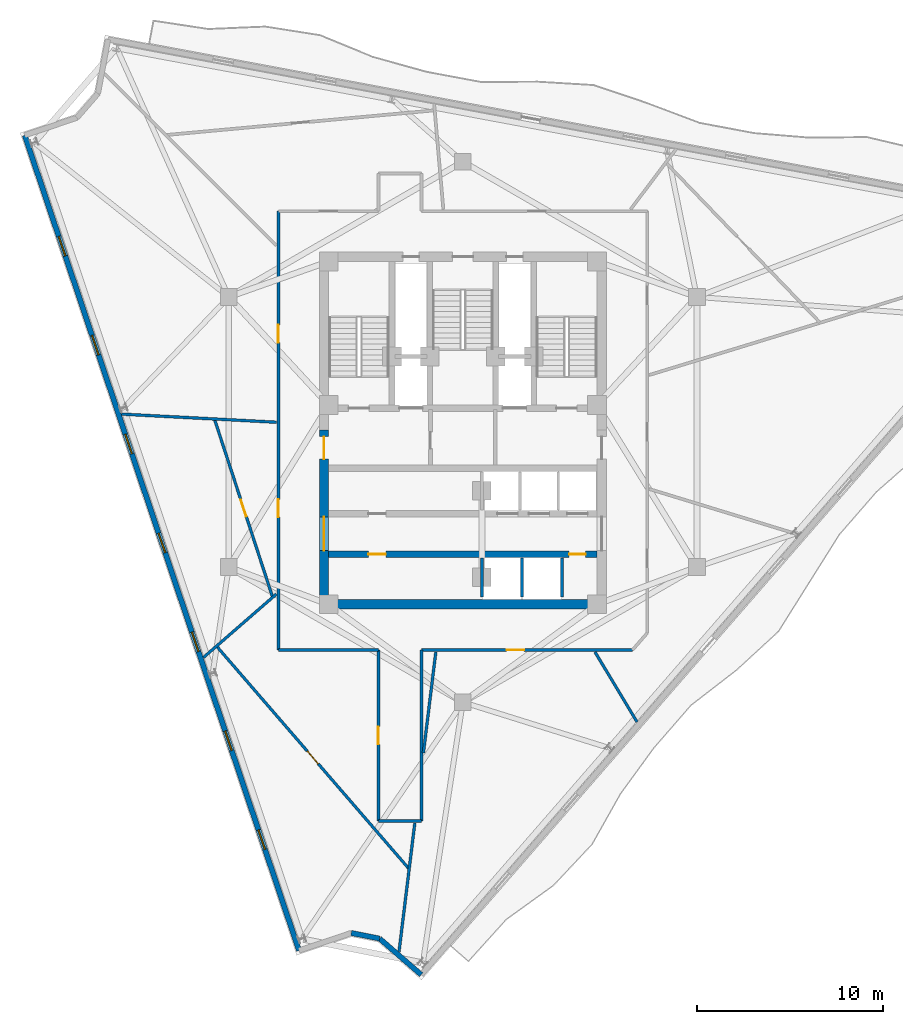
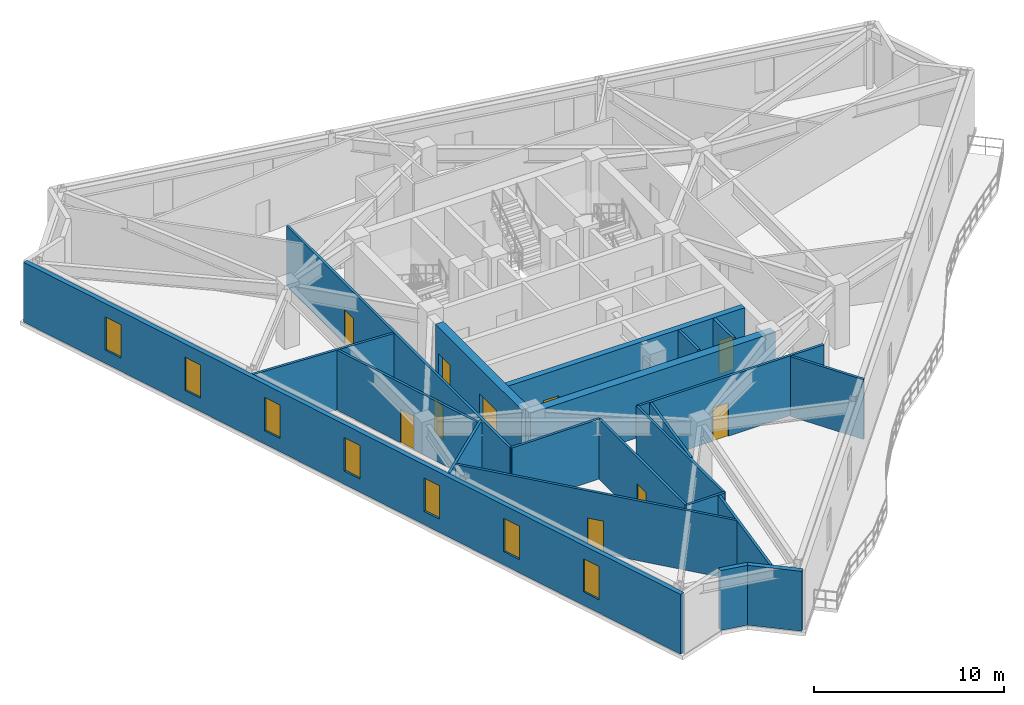
# One storey, part 4 of 10: 22 walls, 10 doors, 7 windows, 17 openings.
"""IFC4 building model written with IfcOpenShell, lengths in metres."""

from ifc_helpers import new_model, si_unit, direction, frame, frame_2d, origin, place, context, subcontext, project, spatial, rectangle, extrude, material, layer, layer_set, type_object, element, fill, save


model = new_model("IFC4")

# Units and contexts
model_context = context("Model", 3, precision=1e-05, world=origin(), true_north=direction((0.0, 1.0)))
body_context = subcontext(model_context, "Body", "Model", "MODEL_VIEW")
ifc_project = project(units=[si_unit("LENGTHUNIT", "METRE"), si_unit("AREAUNIT", "SQUARE_METRE"), si_unit("VOLUMEUNIT", "CUBIC_METRE"), si_unit("PLANEANGLEUNIT", "RADIAN"), si_unit("MASSUNIT", "GRAM", prefix="KILO")], contexts=[model_context])

# Site, building, storey
site_placement = place(None, origin())
site = spatial("IfcSite", under=ifc_project, at=site_placement, CompositionType="ELEMENT")
building_placement = place(site_placement, origin())
building = spatial("IfcBuilding", under=site, at=building_placement, Name="Apsidion Concourse Tower", CompositionType="ELEMENT")
storey_placement = place(building_placement, frame((0.0, 0.0, 286.0)))
storey = spatial("IfcBuildingStorey", under=building, at=storey_placement, Name="L67", CompositionType="ELEMENT", Elevation=286.0)

# Walls
ifc_material_1 = material(Name="Precast concrete C40/50", Category="concrete")
ifc_layer_1 = layer(ifc_material_1, 0.280029296875)
ifc_layer_set_1 = layer_set([ifc_layer_1], Name="Precast concrete C40/50")
wall_type_1 = type_object("IfcWallType", Name="WL-EXT-280", PredefinedType="STANDARD", material=ifc_layer_set_1)
wall_1_placement = place(storey_placement, frame((-2.235595703125, -29.126220703125, 0.0), z_axis=(0.0, 0.0, 1.0), x_axis=(-0.754753154029, 0.656008899698, 0.0)))
element("IfcWall", 1, at=wall_1_placement, inside=storey, type_object=wall_type_1, Name="L67 Precast Stone Facade Wall 06", PredefinedType="STANDARD", context=body_context, shape_type="SweptSolid", body=[
    extrude(rectangle(XDim=2.95458984375, YDim=0.280029296875, at=frame_2d((1.477294921875, 0.0))), origin(), (0.0, 0.0, 1.0), 3.85009765625),
])
wall_2_placement = place(storey_placement, frame((-4.465576171875, -27.18798828125, 0.0), z_axis=(0.0, 0.0, 1.0), x_axis=(-0.980935552899, 0.194333324621, 0.0)))
element("IfcWall", 2, at=wall_2_placement, inside=storey, type_object=wall_type_1, Name="L67 Precast Stone Facade Wall 07", PredefinedType="STANDARD", context=body_context, shape_type="SweptSolid", body=[
    extrude(rectangle(XDim=1.553955078125, YDim=0.280029296875, at=frame_2d((0.77685546875, 0.0))), origin(), (0.0, 0.0, 1.0), 3.85009765625),
])

# Wall, openings, windows
wall_3_placement = place(storey_placement, frame((-8.790283203125, -27.828125, 0.0), z_axis=(0.0, 0.0, 1.0), x_axis=(-0.318898365887, 0.947788917552, 0.0)))
wall_3 = element("IfcWall", 3, at=wall_3_placement, inside=storey, type_object=wall_type_1, Name="L67 Precast Stone Facade Wall 09", PredefinedType="STANDARD", context=body_context, shape_type="SweptSolid", body=[
    extrude(rectangle(XDim=46.16259765625, YDim=0.280029296875, at=frame_2d((23.081298828125, 0.0))), origin(), (0.0, 0.0, 1.0), 3.85009765625),
])
opening_1_placement = place(wall_3_placement, frame((5.731201171875, 0.0, 0.85009765625)))
opening_1 = element("IfcOpeningElement", 4, at=opening_1_placement, cuts=wall_3, Name="Opening WN-07", PredefinedType="OPENING", context=body_context, shape_type="SweptSolid", body=[
    extrude(rectangle(XDim=1.10009765625, YDim=2.14990234375, at=frame_2d((0.550048828125, 1.074951171875))), frame((0.0, 0.14990234375, 0.0), z_axis=(0.0, -1.0, 0.0), x_axis=(1.0, 0.0, 0.0)), (0.0, 0.0, 1.0), 0.300048828125),
])
opening_2_placement = place(wall_3_placement, frame((11.331298828125, 0.0, 0.85009765625)))
opening_2 = element("IfcOpeningElement", 5, at=opening_2_placement, cuts=wall_3, Name="Opening WN-07", PredefinedType="OPENING", context=body_context, shape_type="SweptSolid", body=[
    extrude(rectangle(XDim=1.10009765625, YDim=2.14990234375, at=frame_2d((0.550048828125, 1.074951171875))), frame((0.0, 0.14990234375, 0.0), z_axis=(0.0, -1.0, 0.0), x_axis=(1.0, 0.0, 0.0)), (0.0, 0.0, 1.0), 0.300048828125),
])
opening_3_placement = place(wall_3_placement, frame((16.931396484375, 0.0, 0.85009765625)))
opening_3 = element("IfcOpeningElement", 6, at=opening_3_placement, cuts=wall_3, Name="Opening WN-07", PredefinedType="OPENING", context=body_context, shape_type="SweptSolid", body=[
    extrude(rectangle(XDim=1.10009765625, YDim=2.14990234375, at=frame_2d((0.550048828125, 1.074951171875))), frame((0.0, 0.14990234375, 0.0), z_axis=(0.0, -1.0, 0.0), x_axis=(1.0, 0.0, 0.0)), (0.0, 0.0, 1.0), 0.300048828125),
])
opening_4_placement = place(wall_3_placement, frame((22.53125, 0.0, 0.85009765625)))
opening_4 = element("IfcOpeningElement", 7, at=opening_4_placement, cuts=wall_3, Name="Opening WN-07", PredefinedType="OPENING", context=body_context, shape_type="SweptSolid", body=[
    extrude(rectangle(XDim=1.10009765625, YDim=2.14990234375, at=frame_2d((0.550048828125, 1.074951171875))), frame((0.0, 0.14990234375, 0.0), z_axis=(0.0, -1.0, 0.0), x_axis=(1.0, 0.0, 0.0)), (0.0, 0.0, 1.0), 0.300048828125),
])
opening_5_placement = place(wall_3_placement, frame((28.13134765625, 0.0, 0.85009765625)))
opening_5 = element("IfcOpeningElement", 8, at=opening_5_placement, cuts=wall_3, Name="Opening WN-07", PredefinedType="OPENING", context=body_context, shape_type="SweptSolid", body=[
    extrude(rectangle(XDim=1.10009765625, YDim=2.14990234375, at=frame_2d((0.550048828125, 1.074951171875))), frame((0.0, 0.14990234375, 0.0), z_axis=(0.0, -1.0, 0.0), x_axis=(1.0, 0.0, 0.0)), (0.0, 0.0, 1.0), 0.300048828125),
])
opening_6_placement = place(wall_3_placement, frame((33.731201171875, 0.0, 0.85009765625)))
opening_6 = element("IfcOpeningElement", 9, at=opening_6_placement, cuts=wall_3, Name="Opening WN-07", PredefinedType="OPENING", context=body_context, shape_type="SweptSolid", body=[
    extrude(rectangle(XDim=1.10009765625, YDim=2.14990234375, at=frame_2d((0.550048828125, 1.074951171875))), frame((0.0, 0.14990234375, 0.0), z_axis=(0.0, -1.0, 0.0), x_axis=(1.0, 0.0, 0.0)), (0.0, 0.0, 1.0), 0.300048828125),
])
opening_7_placement = place(wall_3_placement, frame((39.331298828125, 0.0, 0.85009765625)))
opening_7 = element("IfcOpeningElement", 10, at=opening_7_placement, cuts=wall_3, Name="Opening WN-07", PredefinedType="OPENING", context=body_context, shape_type="SweptSolid", body=[
    extrude(rectangle(XDim=1.10009765625, YDim=2.14990234375, at=frame_2d((0.550048828125, 1.074951171875))), frame((0.0, 0.14990234375, 0.0), z_axis=(0.0, -1.0, 0.0), x_axis=(1.0, 0.0, 0.0)), (0.0, 0.0, 1.0), 0.300048828125),
])
ifc_material_2 = material(Name="Insulated laminated low-E glass", Category="glass")
window_type = type_object("IfcWindowType", Name="WN-OFF-1123", PartitioningType="SINGLE_PANEL", PredefinedType="WINDOW", material=ifc_material_2)
window_1_placement = place(opening_1_placement, origin())
window_1 = element("IfcWindow", 11, at=window_1_placement, inside=storey, type_object=window_type, Name="L67 Punched Facade Window 9-01", OverallHeight=2.14990234375, OverallWidth=1.10009765625, PartitioningType="SINGLE_PANEL", PredefinedType="WINDOW", context=body_context, shape_type="SweptSolid", body=[
    extrude(rectangle(XDim=1.10009765625, YDim=2.14990234375, at=frame_2d((0.550048828125, 1.074951171875))), frame((0.0, 0.030029296875, 0.0), z_axis=(0.0, -1.0, 0.0), x_axis=(1.0, 0.0, 0.0)), (0.0, 0.0, 1.0), 0.06005859375),
])
fill(opening_1, window_1)
window_2_placement = place(opening_2_placement, origin())
window_2 = element("IfcWindow", 12, at=window_2_placement, inside=storey, type_object=window_type, Name="L67 Punched Facade Window 9-02", OverallHeight=2.14990234375, OverallWidth=1.10009765625, PartitioningType="SINGLE_PANEL", PredefinedType="WINDOW", context=body_context, shape_type="SweptSolid", body=[
    extrude(rectangle(XDim=1.10009765625, YDim=2.14990234375, at=frame_2d((0.550048828125, 1.074951171875))), frame((0.0, 0.030029296875, 0.0), z_axis=(0.0, -1.0, 0.0), x_axis=(1.0, 0.0, 0.0)), (0.0, 0.0, 1.0), 0.06005859375),
])
fill(opening_2, window_2)
window_3_placement = place(opening_3_placement, origin())
window_3 = element("IfcWindow", 13, at=window_3_placement, inside=storey, type_object=window_type, Name="L67 Punched Facade Window 9-03", OverallHeight=2.14990234375, OverallWidth=1.10009765625, PartitioningType="SINGLE_PANEL", PredefinedType="WINDOW", context=body_context, shape_type="SweptSolid", body=[
    extrude(rectangle(XDim=1.10009765625, YDim=2.14990234375, at=frame_2d((0.550048828125, 1.074951171875))), frame((0.0, 0.030029296875, 0.0), z_axis=(0.0, -1.0, 0.0), x_axis=(1.0, 0.0, 0.0)), (0.0, 0.0, 1.0), 0.06005859375),
])
fill(opening_3, window_3)
window_4_placement = place(opening_4_placement, origin())
window_4 = element("IfcWindow", 14, at=window_4_placement, inside=storey, type_object=window_type, Name="L67 Punched Facade Window 9-04", OverallHeight=2.14990234375, OverallWidth=1.10009765625, PartitioningType="SINGLE_PANEL", PredefinedType="WINDOW", context=body_context, shape_type="SweptSolid", body=[
    extrude(rectangle(XDim=1.10009765625, YDim=2.14990234375, at=frame_2d((0.550048828125, 1.074951171875))), frame((0.0, 0.030029296875, 0.0), z_axis=(0.0, -1.0, 0.0), x_axis=(1.0, 0.0, 0.0)), (0.0, 0.0, 1.0), 0.06005859375),
])
fill(opening_4, window_4)
window_5_placement = place(opening_5_placement, origin())
window_5 = element("IfcWindow", 15, at=window_5_placement, inside=storey, type_object=window_type, Name="L67 Punched Facade Window 9-05", OverallHeight=2.14990234375, OverallWidth=1.10009765625, PartitioningType="SINGLE_PANEL", PredefinedType="WINDOW", context=body_context, shape_type="SweptSolid", body=[
    extrude(rectangle(XDim=1.10009765625, YDim=2.14990234375, at=frame_2d((0.550048828125, 1.074951171875))), frame((0.0, 0.030029296875, 0.0), z_axis=(0.0, -1.0, 0.0), x_axis=(1.0, 0.0, 0.0)), (0.0, 0.0, 1.0), 0.06005859375),
])
fill(opening_5, window_5)
window_6_placement = place(opening_6_placement, origin())
window_6 = element("IfcWindow", 16, at=window_6_placement, inside=storey, type_object=window_type, Name="L67 Punched Facade Window 9-06", OverallHeight=2.14990234375, OverallWidth=1.10009765625, PartitioningType="SINGLE_PANEL", PredefinedType="WINDOW", context=body_context, shape_type="SweptSolid", body=[
    extrude(rectangle(XDim=1.10009765625, YDim=2.14990234375, at=frame_2d((0.550048828125, 1.074951171875))), frame((0.0, 0.030029296875, 0.0), z_axis=(0.0, -1.0, 0.0), x_axis=(1.0, 0.0, 0.0)), (0.0, 0.0, 1.0), 0.06005859375),
])
fill(opening_6, window_6)
window_7_placement = place(opening_7_placement, origin())
window_7 = element("IfcWindow", 17, at=window_7_placement, inside=storey, type_object=window_type, Name="L67 Punched Facade Window 9-07", OverallHeight=2.14990234375, OverallWidth=1.10009765625, PartitioningType="SINGLE_PANEL", PredefinedType="WINDOW", context=body_context, shape_type="SweptSolid", body=[
    extrude(rectangle(XDim=1.10009765625, YDim=2.14990234375, at=frame_2d((0.550048828125, 1.074951171875))), frame((0.0, 0.030029296875, 0.0), z_axis=(0.0, -1.0, 0.0), x_axis=(1.0, 0.0, 0.0)), (0.0, 0.0, 1.0), 0.06005859375),
])
fill(opening_7, window_7)

# Walls
ifc_material_3 = material(Name="Gypsum plasterboard partition")
ifc_layer_2 = layer(ifc_material_3, 0.14990234375)
ifc_layer_set_2 = layer_set([ifc_layer_2], Name="Gypsum plasterboard partition")
wall_type_2 = type_object("IfcWallType", Name="WL-INT-PAR-150", PredefinedType="PARTITIONING", material=ifc_layer_set_2)
wall_4_placement = place(storey_placement, frame((3.175048828125, -8.85009765625, 0.0), z_axis=(0.0, 0.0, 1.0), x_axis=(0.0, 1.0, 0.0)))
element("IfcWall", 18, at=wall_4_placement, inside=storey, type_object=wall_type_2, Name="L67 Interior Partition WL-L67-SHDIV-1", PredefinedType="PARTITIONING", context=body_context, shape_type="SweptSolid", body=[
    extrude(rectangle(XDim=2.080078125, YDim=0.14990234375, at=frame_2d((1.0400390625, 0.0))), origin(), (0.0, 0.0, 1.0), 3.85009765625),
])
wall_5_placement = place(storey_placement, frame((-4.530029296875, -11.699951171875, 0.0), z_axis=(0.0, 0.0, 1.0), x_axis=(-1.0, 0.0, 0.0)))
element("IfcWall", 19, at=wall_5_placement, inside=storey, type_object=wall_type_2, Name="L67 Interior Partition WL-L67-CORR-01", PredefinedType="PARTITIONING", context=body_context, shape_type="SweptSolid", body=[
    extrude(rectangle(XDim=5.369873046875, YDim=0.14990234375, at=frame_2d((2.68505859375, 0.0))), origin(), (0.0, 0.0, 1.0), 3.85009765625),
])

# Wall, openings, doors
wall_6_placement = place(storey_placement, frame((-9.89990234375, -11.699951171875, 0.0), z_axis=(0.0, 0.0, 1.0), x_axis=(0.0, 1.0, 0.0)))
wall_6 = element("IfcWall", 20, at=wall_6_placement, inside=storey, type_object=wall_type_2, Name="L67 Interior Partition WL-L67-CORR-02", PredefinedType="PARTITIONING", context=body_context, shape_type="SweptSolid", body=[
    extrude(rectangle(XDim=23.550048828125, YDim=0.14990234375, at=frame_2d((11.77490234375, 0.0))), origin(), (0.0, 0.0, 1.0), 3.85009765625),
])
opening_8_placement = place(wall_6_placement, frame((7.136474609375, 0.0, 0.0)))
opening_8 = element("IfcOpeningElement", 21, at=opening_8_placement, cuts=wall_6, Name="Opening D-01L", PredefinedType="OPENING", context=body_context, shape_type="SweptSolid", body=[
    extrude(rectangle(XDim=0.949951171875, YDim=2.14990234375, at=frame_2d((0.47509765625, 1.074951171875))), frame((0.0, 0.0849609375, 0.0), z_axis=(0.0, -1.0, 0.0), x_axis=(1.0, 0.0, 0.0)), (0.0, 0.0, 1.0), 0.169921875),
])
opening_9_placement = place(wall_6_placement, frame((16.4951171875, 0.0, 0.0)))
opening_9 = element("IfcOpeningElement", 22, at=opening_9_placement, cuts=wall_6, Name="Opening D-01L", PredefinedType="OPENING", context=body_context, shape_type="SweptSolid", body=[
    extrude(rectangle(XDim=0.949951171875, YDim=2.14990234375, at=frame_2d((0.47509765625, 1.074951171875))), frame((0.0, 0.0849609375, 0.0), z_axis=(0.0, -1.0, 0.0), x_axis=(1.0, 0.0, 0.0)), (0.0, 0.0, 1.0), 0.169921875),
])
ifc_material_4 = material(Name="Brushed stainless steel 316", Category="steel")
door_type_1 = type_object("IfcDoorType", Name="DR-INT-D01L", OperationType="SINGLE_SWING_LEFT", PredefinedType="DOOR", material=ifc_material_4)
door_1_placement = place(opening_8_placement, origin())
door_1 = element("IfcDoor", 23, at=door_1_placement, inside=storey, type_object=door_type_1, Name="L67 Corridor Entry Door 01", OperationType="SINGLE_SWING_LEFT", OverallHeight=2.14990234375, OverallWidth=0.949951171875, PredefinedType="DOOR", context=body_context, shape_type="SweptSolid", body=[
    extrude(rectangle(XDim=0.949951171875, YDim=2.14990234375, at=frame_2d((0.47509765625, 1.074951171875))), frame((0.0, 0.02490234375, 0.0), z_axis=(0.0, -1.0, 0.0), x_axis=(1.0, 0.0, 0.0)), (0.0, 0.0, 1.0), 0.050048828125),
])
fill(opening_8, door_1)
door_2_placement = place(opening_9_placement, origin())
door_2 = element("IfcDoor", 24, at=door_2_placement, inside=storey, type_object=door_type_1, Name="L67 Corridor Entry Door 09", OperationType="SINGLE_SWING_LEFT", OverallHeight=2.14990234375, OverallWidth=0.949951171875, PredefinedType="DOOR", context=body_context, shape_type="SweptSolid", body=[
    extrude(rectangle(XDim=0.949951171875, YDim=2.14990234375, at=frame_2d((0.47509765625, 1.074951171875))), frame((0.0, 0.02490234375, 0.0), z_axis=(0.0, -1.0, 0.0), x_axis=(1.0, 0.0, 0.0)), (0.0, 0.0, 1.0), 0.050048828125),
])
fill(opening_9, door_2)

# Wall, opening, door
wall_7_placement = place(storey_placement, frame((9.103271484375, -11.699951171875, 0.0), z_axis=(0.0, 0.0, 1.0), x_axis=(-1.0, 0.0, 0.0)))
wall_7 = element("IfcWall", 25, at=wall_7_placement, inside=storey, type_object=wall_type_2, Name="L67 Interior Partition WL-L67-CORR-10", PredefinedType="PARTITIONING", context=body_context, shape_type="SweptSolid", body=[
    extrude(rectangle(XDim=11.3232421875, YDim=0.14990234375, at=frame_2d((5.66162109375, 0.0))), origin(), (0.0, 0.0, 1.0), 3.85009765625),
])
opening_10_placement = place(wall_7_placement, frame((5.809326171875, 0.0, 0.0)))
opening_10 = element("IfcOpeningElement", 26, at=opening_10_placement, cuts=wall_7, Name="Opening D-01L", PredefinedType="OPENING", context=body_context, shape_type="SweptSolid", body=[
    extrude(rectangle(XDim=0.949951171875, YDim=2.14990234375, at=frame_2d((0.47509765625, 1.074951171875))), frame((0.0, 0.0849609375, 0.0), z_axis=(0.0, -1.0, 0.0), x_axis=(1.0, 0.0, 0.0)), (0.0, 0.0, 1.0), 0.169921875),
])
door_3_placement = place(opening_10_placement, origin())
door_3 = element("IfcDoor", 27, at=door_3_placement, inside=storey, type_object=door_type_1, Name="L67 Corridor Entry Door 03", OperationType="SINGLE_SWING_LEFT", OverallHeight=2.14990234375, OverallWidth=0.949951171875, PredefinedType="DOOR", context=body_context, shape_type="SweptSolid", body=[
    extrude(rectangle(XDim=0.949951171875, YDim=2.14990234375, at=frame_2d((0.47509765625, 1.074951171875))), frame((0.0, 0.02490234375, 0.0), z_axis=(0.0, -1.0, 0.0), x_axis=(1.0, 0.0, 0.0)), (0.0, 0.0, 1.0), 0.050048828125),
])
fill(opening_10, door_3)

# Walls
wall_8_placement = place(storey_placement, frame((-2.219970703125, -11.699951171875, 0.0), z_axis=(0.0, 0.0, 1.0), x_axis=(0.0, -1.0, 0.0)))
element("IfcWall", 28, at=wall_8_placement, inside=storey, type_object=wall_type_2, Name="L67 Interior Partition WL-L67-CORR-11", PredefinedType="PARTITIONING", context=body_context, shape_type="SweptSolid", body=[
    extrude(rectangle(XDim=9.179931640625, YDim=0.14990234375, at=frame_2d((4.58984375, 0.0))), origin(), (0.0, 0.0, 1.0), 3.85009765625),
])
wall_9_placement = place(storey_placement, frame((-2.219970703125, -20.8798828125, 0.0), z_axis=(0.0, 0.0, 1.0), x_axis=(-1.0, 0.0, 0.0)))
element("IfcWall", 29, at=wall_9_placement, inside=storey, type_object=wall_type_2, Name="L67 Interior Partition WL-L67-CORR-12", PredefinedType="PARTITIONING", context=body_context, shape_type="SweptSolid", body=[
    extrude(rectangle(XDim=2.31005859375, YDim=0.14990234375, at=frame_2d((1.155029296875, 0.0))), origin(), (0.0, 0.0, 1.0), 3.85009765625),
])

# Wall, opening, door
wall_10_placement = place(storey_placement, frame((-4.530029296875, -20.8798828125, 0.0), z_axis=(0.0, 0.0, 1.0), x_axis=(0.0, 1.0, 0.0)))
wall_10 = element("IfcWall", 30, at=wall_10_placement, inside=storey, type_object=wall_type_2, Name="L67 Interior Partition WL-L67-CORR-13", PredefinedType="PARTITIONING", context=body_context, shape_type="SweptSolid", body=[
    extrude(rectangle(XDim=9.179931640625, YDim=0.14990234375, at=frame_2d((4.58984375, 0.0))), origin(), (0.0, 0.0, 1.0), 3.85009765625),
])
opening_11_placement = place(wall_10_placement, frame((4.114990234375, 0.0, 0.0)))
opening_11 = element("IfcOpeningElement", 31, at=opening_11_placement, cuts=wall_10, Name="Opening D-01R", PredefinedType="OPENING", context=body_context, shape_type="SweptSolid", body=[
    extrude(rectangle(XDim=0.949951171875, YDim=2.14990234375, at=frame_2d((0.47509765625, 1.074951171875))), frame((0.0, 0.0849609375, 0.0), z_axis=(0.0, -1.0, 0.0), x_axis=(1.0, 0.0, 0.0)), (0.0, 0.0, 1.0), 0.169921875),
])
door_type_2 = type_object("IfcDoorType", Name="DR-INT-D01R", OperationType="SINGLE_SWING_RIGHT", PredefinedType="DOOR", material=ifc_material_4)
door_4_placement = place(opening_11_placement, origin())
door_4 = element("IfcDoor", 32, at=door_4_placement, inside=storey, type_object=door_type_2, Name="L67 Corridor Entry Door 02", OperationType="SINGLE_SWING_RIGHT", OverallHeight=2.14990234375, OverallWidth=0.949951171875, PredefinedType="DOOR", context=body_context, shape_type="SweptSolid", body=[
    extrude(rectangle(XDim=0.949951171875, YDim=2.14990234375, at=frame_2d((0.47509765625, 1.074951171875))), frame((0.0, 0.02490234375, 0.0), z_axis=(0.0, -1.0, 0.0), x_axis=(1.0, 0.0, 0.0)), (0.0, 0.0, 1.0), 0.050048828125),
])
fill(opening_11, door_4)

# Walls
wall_11_placement = place(storey_placement, frame((-10.0048828125, 0.5244140625, 0.0), z_axis=(0.0, 0.0, 1.0), x_axis=(-0.998630204495, 0.052323175275, 0.0)))
element("IfcWall", 33, at=wall_11_placement, inside=storey, type_object=wall_type_2, Name="L67 Interior Partition WL-L67-RAD-05-1", PredefinedType="PARTITIONING", context=body_context, shape_type="SweptSolid", body=[
    extrude(rectangle(XDim=8.319580078125, YDim=0.14990234375, at=frame_2d((4.15966796875, 0.0))), origin(), (0.0, 0.0, 1.0), 3.85009765625),
])
wall_12_placement = place(storey_placement, frame((-10.0048828125, -8.697265625, 0.0), z_axis=(0.0, 0.0, 1.0), x_axis=(-0.754719019768, -0.656048169878, 0.0)))
element("IfcWall", 34, at=wall_12_placement, inside=storey, type_object=wall_type_2, Name="L67 Interior Partition WL-L67-RAD-06-1", PredefinedType="PARTITIONING", context=body_context, shape_type="SweptSolid", body=[
    extrude(rectangle(XDim=5.18603515625, YDim=0.14990234375, at=frame_2d((2.593017578125, 0.0))), origin(), (0.0, 0.0, 1.0), 3.85009765625),
])
wall_13_placement = place(storey_placement, frame((-1.449462890625, -11.804931640625, 0.0), z_axis=(0.0, 0.0, 1.0), x_axis=(-0.121866576679, -0.992546491349, 0.0)))
element("IfcWall", 35, at=wall_13_placement, inside=storey, type_object=wall_type_2, Name="L67 Interior Partition WL-L67-RAD-07-1", PredefinedType="PARTITIONING", context=body_context, shape_type="SweptSolid", body=[
    extrude(rectangle(XDim=5.461181640625, YDim=0.14990234375, at=frame_2d((2.73046875, 0.0))), origin(), (0.0, 0.0, 1.0), 3.85009765625),
])
wall_14_placement = place(storey_placement, frame((-2.57666015625, -20.985107421875, 0.0), z_axis=(0.0, 0.0, 1.0), x_axis=(-0.12188705435, -0.99254397685, 0.0)))
element("IfcWall", 36, at=wall_14_placement, inside=storey, type_object=wall_type_2, Name="L67 Interior Partition WL-L67-RAD-07-2", PredefinedType="PARTITIONING", context=body_context, shape_type="SweptSolid", body=[
    extrude(rectangle(XDim=6.954345703125, YDim=0.14990234375, at=frame_2d((3.47705078125, 0.0))), origin(), (0.0, 0.0, 1.0), 3.85009765625),
])
wall_15_placement = place(storey_placement, frame((7.09326171875, -11.804931640625, 0.0), z_axis=(0.0, 0.0, 1.0), x_axis=(0.514995377256, -0.857192954594, 0.0)))
element("IfcWall", 37, at=wall_15_placement, inside=storey, type_object=wall_type_2, Name="L67 Interior Partition WL-L67-RAD-08-1", PredefinedType="PARTITIONING", context=body_context, shape_type="SweptSolid", body=[
    extrude(rectangle(XDim=4.3828125, YDim=0.14990234375, at=frame_2d((2.19140625, 0.0))), origin(), (0.0, 0.0, 1.0), 3.85009765625),
])

# Wall, opening, door
wall_16_placement = place(storey_placement, frame((-13.321533203125, 0.673095703125, 0.0), z_axis=(0.0, 0.0, 1.0), x_axis=(0.31038469489, -0.950611035691, 0.0)))
wall_16 = element("IfcWall", 38, at=wall_16_placement, inside=storey, type_object=wall_type_2, Name="L67 Interior Partition WL-L67-CHD-OFWC", PredefinedType="PARTITIONING", context=body_context, shape_type="SweptSolid", body=[
    extrude(rectangle(XDim=10.01318359375, YDim=0.14990234375, at=frame_2d((5.006591796875, 0.0))), origin(), (0.0, 0.0, 1.0), 3.85009765625),
])
opening_12_placement = place(wall_16_placement, frame((4.531494140625, 0.0, 0.0)))
opening_12 = element("IfcOpeningElement", 39, at=opening_12_placement, cuts=wall_16, Name="Opening D-04L", PredefinedType="OPENING", context=body_context, shape_type="SweptSolid", body=[
    extrude(rectangle(XDim=0.949951171875, YDim=2.14990234375, at=frame_2d((0.47509765625, 1.074951171875))), frame((0.0, 0.0849609375, 0.0), z_axis=(0.0, -1.0, 0.0), x_axis=(1.0, 0.0, 0.0)), (0.0, 0.0, 1.0), 0.169921875),
])
door_type_3 = type_object("IfcDoorType", Name="DR-INT-D04L", OperationType="SINGLE_SWING_LEFT", PredefinedType="DOOR", material=ifc_material_4)
door_5_placement = place(opening_12_placement, origin())
door_5 = element("IfcDoor", 40, at=door_5_placement, inside=storey, type_object=door_type_3, Name="L67 Suite Connecting Door OFWC", OperationType="SINGLE_SWING_LEFT", OverallHeight=2.14990234375, OverallWidth=0.949951171875, PredefinedType="DOOR", context=body_context, shape_type="SweptSolid", body=[
    extrude(rectangle(XDim=0.949951171875, YDim=2.14990234375, at=frame_2d((0.47509765625, 1.074951171875))), frame((0.0, 0.02490234375, 0.0), z_axis=(0.0, -1.0, 0.0), x_axis=(1.0, 0.0, 0.0)), (0.0, 0.0, 1.0), 0.050048828125),
])
fill(opening_12, door_5)

wall_17_placement = place(storey_placement, frame((-13.202392578125, -11.510009765625, 0.0), z_axis=(0.0, 0.0, 1.0), x_axis=(0.653948688388, -0.756538903795, 0.0)))
wall_17 = element("IfcWall", 41, at=wall_17_placement, inside=storey, type_object=wall_type_2, Name="L67 Interior Partition WL-L67-CHD-OFS01", PredefinedType="PARTITIONING", context=body_context, shape_type="SweptSolid", body=[
    extrude(rectangle(XDim=15.751708984375, YDim=0.14990234375, at=frame_2d((7.8759765625, 0.0))), origin(), (0.0, 0.0, 1.0), 3.85009765625),
])
opening_13_placement = place(wall_17_placement, frame((7.42578125, 0.0, 0.0)))
opening_13 = element("IfcOpeningElement", 42, at=opening_13_placement, cuts=wall_17, Name="Opening D-02R", PredefinedType="OPENING", context=body_context, shape_type="SweptSolid", body=[
    extrude(rectangle(XDim=0.89990234375, YDim=2.10009765625, at=frame_2d((0.449951171875, 1.050048828125))), frame((0.0, 0.0849609375, 0.0), z_axis=(0.0, -1.0, 0.0), x_axis=(1.0, 0.0, 0.0)), (0.0, 0.0, 1.0), 0.169921875),
])
ifc_material_5 = material(Name="Anodised aluminium EN AW-6063 T6", Category="aluminium")
door_type_4 = type_object("IfcDoorType", Name="DR-INT-D02R", OperationType="SINGLE_SWING_RIGHT", PredefinedType="DOOR", material=ifc_material_5)
door_6_placement = place(opening_13_placement, origin())
door_6 = element("IfcDoor", 43, at=door_6_placement, inside=storey, type_object=door_type_4, Name="L67 Suite Connecting Door OFS01", OperationType="SINGLE_SWING_RIGHT", OverallHeight=2.10009765625, OverallWidth=0.89990234375, PredefinedType="DOOR", context=body_context, shape_type="SweptSolid", body=[
    extrude(rectangle(XDim=0.89990234375, YDim=2.10009765625, at=frame_2d((0.449951171875, 1.050048828125))), frame((0.0, 0.02490234375, 0.0), z_axis=(0.0, -1.0, 0.0), x_axis=(1.0, 0.0, 0.0)), (0.0, 0.0, 1.0), 0.050048828125),
])
fill(opening_13, door_6)

# Walls
ifc_layer_3 = layer(ifc_material_3, 0.179931640625)
ifc_layer_set_3 = layer_set([ifc_layer_3], Name="Gypsum plasterboard partition")
wall_type_3 = type_object("IfcWallType", Name="WL-INT-PAR-180", PredefinedType="PARTITIONING", material=ifc_layer_set_3)
wall_18_placement = place(storey_placement, frame((1.02490234375, -8.85009765625, 0.0), z_axis=(0.0, 0.0, 1.0), x_axis=(0.0, 1.0, 0.0)))
element("IfcWall", 44, at=wall_18_placement, inside=storey, type_object=wall_type_3, Name="L67 Interior Partition WL-L67-B2END", PredefinedType="PARTITIONING", context=body_context, shape_type="SweptSolid", body=[
    extrude(rectangle(XDim=2.080078125, YDim=0.179931640625, at=frame_2d((1.0400390625, 0.0))), origin(), (0.0, 0.0, 1.0), 2.89794921875),
])
wall_19_placement = place(storey_placement, frame((5.324951171875, -8.85009765625, 0.0), z_axis=(0.0, 0.0, 1.0), x_axis=(0.0, 1.0, 0.0)))
element("IfcWall", 45, at=wall_19_placement, inside=storey, type_object=wall_type_3, Name="L67 Interior Partition WL-L67-SHDIV-2", PredefinedType="PARTITIONING", context=body_context, shape_type="SweptSolid", body=[
    extrude(rectangle(XDim=2.080078125, YDim=0.179931640625, at=frame_2d((1.0400390625, 0.0))), origin(), (0.0, 0.0, 1.0), 3.85009765625),
])

# Wall, openings, doors
ifc_material_6 = material(Name="Concrete C50/60", Category="concrete")
ifc_layer_4 = layer(ifc_material_6, 0.35009765625)
ifc_layer_set_4 = layer_set([ifc_layer_4], Name="Concrete C50/60")
wall_type_4 = type_object("IfcWallType", Name="WL-SH-350", PredefinedType="SHEAR", material=ifc_layer_set_4)
wall_20_placement = place(storey_placement, frame((-7.199951171875, -6.570068359375, 0.0), z_axis=(0.0, 0.0, 1.0), x_axis=(1.0, 0.0, 0.0)))
wall_20 = element("IfcWall", 46, at=wall_20_placement, inside=storey, type_object=wall_type_4, Name="L67 Central Core Shear Wall LB", PredefinedType="SHEAR", context=body_context, shape_type="SweptSolid", body=[
    extrude(rectangle(XDim=14.39990234375, YDim=0.35009765625, at=frame_2d((7.199951171875, 0.0))), origin(), (0.0, 0.0, 1.0), 3.85009765625),
])
opening_14_placement = place(wall_20_placement, frame((2.125, 0.0, 0.0)))
opening_14 = element("IfcOpeningElement", 47, at=opening_14_placement, cuts=wall_20, Name="Opening D-04R", PredefinedType="OPENING", context=body_context, shape_type="SweptSolid", body=[
    extrude(rectangle(XDim=0.949951171875, YDim=2.14990234375, at=frame_2d((0.47509765625, 1.074951171875))), frame((0.0, 0.18505859375, 0.0), z_axis=(0.0, -1.0, 0.0), x_axis=(1.0, 0.0, 0.0)), (0.0, 0.0, 1.0), 0.3701171875),
])
opening_15_placement = place(wall_20_placement, frame((12.909912109375, 0.0, 0.0)))
opening_15 = element("IfcOpeningElement", 48, at=opening_15_placement, cuts=wall_20, Name="Opening D-05L", PredefinedType="OPENING", context=body_context, shape_type="SweptSolid", body=[
    extrude(rectangle(XDim=0.8798828125, YDim=2.14990234375, at=frame_2d((0.43994140625, 1.074951171875))), frame((0.0, 0.18505859375, 0.0), z_axis=(0.0, -1.0, 0.0), x_axis=(1.0, 0.0, 0.0)), (0.0, 0.0, 1.0), 0.3701171875),
])
door_type_5 = type_object("IfcDoorType", Name="DR-INT-D04R", OperationType="SINGLE_SWING_RIGHT", PredefinedType="DOOR", material=ifc_material_4)
door_7_placement = place(opening_14_placement, origin())
door_7 = element("IfcDoor", 49, at=door_7_placement, inside=storey, type_object=door_type_5, Name="L67 Executive Catering Pantry Door", OperationType="SINGLE_SWING_RIGHT", OverallHeight=2.14990234375, OverallWidth=0.949951171875, PredefinedType="DOOR", context=body_context, shape_type="SweptSolid", body=[
    extrude(rectangle(XDim=0.949951171875, YDim=2.14990234375, at=frame_2d((0.47509765625, 1.074951171875))), frame((0.0, 0.02490234375, 0.0), z_axis=(0.0, -1.0, 0.0), x_axis=(1.0, 0.0, 0.0)), (0.0, 0.0, 1.0), 0.050048828125),
])
fill(opening_14, door_7)
door_type_6 = type_object("IfcDoorType", Name="DR-INT-D05L", OperationType="SINGLE_SWING_LEFT", PredefinedType="DOOR", material=ifc_material_4)
door_8_placement = place(opening_15_placement, origin())
door_8 = element("IfcDoor", 50, at=door_8_placement, inside=storey, type_object=door_type_6, Name="L67 Cleaners Store Door", OperationType="SINGLE_SWING_LEFT", OverallHeight=2.14990234375, OverallWidth=0.8798828125, PredefinedType="DOOR", context=body_context, shape_type="SweptSolid", body=[
    extrude(rectangle(XDim=0.8798828125, YDim=2.14990234375, at=frame_2d((0.43994140625, 1.074951171875))), frame((0.0, 0.02490234375, 0.0), z_axis=(0.0, -1.0, 0.0), x_axis=(1.0, 0.0, 0.0)), (0.0, 0.0, 1.0), 0.050048828125),
])
fill(opening_15, door_8)

ifc_layer_5 = layer(ifc_material_6, 0.5)
ifc_layer_set_5 = layer_set([ifc_layer_5], Name="Concrete C50/60")
wall_type_5 = type_object("IfcWallType", Name="WL-SH-500", PredefinedType="SHEAR", material=ifc_layer_set_5)
wall_21_placement = place(storey_placement, frame((-7.449951171875, -9.0, 0.0), z_axis=(0.0, 0.0, 1.0), x_axis=(0.0, 1.0, 0.0)))
wall_21 = element("IfcWall", 51, at=wall_21_placement, inside=storey, type_object=wall_type_5, Name="L67 Central Core Shear Wall WS", PredefinedType="SHEAR", context=body_context, shape_type="SweptSolid", body=[
    extrude(rectangle(XDim=9.10009765625, YDim=0.5, at=frame_2d((4.550048828125, 0.0))), origin(), (0.0, 0.0, 1.0), 3.85009765625),
])
opening_16_placement = place(wall_21_placement, frame((2.639892578125, 0.0, 0.0)))
opening_16 = element("IfcOpeningElement", 52, at=opening_16_placement, cuts=wall_21, Name="Opening D-06D", PredefinedType="OPENING", context=body_context, shape_type="SweptSolid", body=[
    extrude(rectangle(XDim=1.800048828125, YDim=2.199951171875, at=frame_2d((0.89990234375, 1.10009765625))), frame((0.0, 0.260009765625, 0.0), z_axis=(0.0, -1.0, 0.0), x_axis=(1.0, 0.0, 0.0)), (0.0, 0.0, 1.0), 0.52001953125),
])
opening_17_placement = place(wall_21_placement, frame((7.550048828125, 0.0, 0.0)))
opening_17 = element("IfcOpeningElement", 53, at=opening_17_placement, cuts=wall_21, Name="Opening D-FFL", PredefinedType="OPENING", context=body_context, shape_type="SweptSolid", body=[
    extrude(rectangle(XDim=1.199951171875, YDim=2.14990234375, at=frame_2d((0.60009765625, 1.074951171875))), frame((0.0, 0.260009765625, 0.0), z_axis=(0.0, -1.0, 0.0), x_axis=(1.0, 0.0, 0.0)), (0.0, 0.0, 1.0), 0.52001953125),
])
door_type_7 = type_object("IfcDoorType", Name="DR-INT-D06D", OperationType="DOUBLE_DOOR_SINGLE_SWING", PredefinedType="DOOR", material=ifc_material_4)
door_9_placement = place(opening_16_placement, origin())
door_9 = element("IfcDoor", 54, at=door_9_placement, inside=storey, type_object=door_type_7, Name="L67 Passenger Lift Lobby WS Portal Door", OperationType="DOUBLE_DOOR_SINGLE_SWING", OverallHeight=2.199951171875, OverallWidth=1.800048828125, PredefinedType="DOOR", context=body_context, shape_type="SweptSolid", body=[
    extrude(rectangle(XDim=1.800048828125, YDim=2.199951171875, at=frame_2d((0.89990234375, 1.10009765625))), frame((0.0, 0.02490234375, 0.0), z_axis=(0.0, -1.0, 0.0), x_axis=(1.0, 0.0, 0.0)), (0.0, 0.0, 1.0), 0.050048828125),
])
fill(opening_16, door_9)
door_type_8 = type_object("IfcDoorType", Name="DR-INT-FFL", OperationType="SINGLE_SWING_LEFT", PredefinedType="DOOR", material=ifc_material_4)
door_10_placement = place(opening_17_placement, origin())
door_10 = element("IfcDoor", 55, at=door_10_placement, inside=storey, type_object=door_type_8, Name="L67 Firefighting Lift Lobby FF1 Door", OperationType="SINGLE_SWING_LEFT", OverallHeight=2.14990234375, OverallWidth=1.199951171875, PredefinedType="DOOR", context=body_context, shape_type="SweptSolid", body=[
    extrude(rectangle(XDim=1.199951171875, YDim=2.14990234375, at=frame_2d((0.60009765625, 1.074951171875))), frame((0.0, 0.02490234375, 0.0), z_axis=(0.0, -1.0, 0.0), x_axis=(1.0, 0.0, 0.0)), (0.0, 0.0, 1.0), 0.050048828125),
])
fill(opening_17, door_10)

# Wall
wall_22_placement = place(storey_placement, frame((-7.449951171875, -9.25, 0.0), z_axis=(0.0, 0.0, 1.0), x_axis=(1.0, 0.0, 0.0)))
element("IfcWall", 56, at=wall_22_placement, inside=storey, type_object=wall_type_5, Name="L67 Central Core Shear Wall S", PredefinedType="SHEAR", context=body_context, shape_type="SweptSolid", body=[
    extrude(rectangle(XDim=14.89990234375, YDim=0.5, at=frame_2d((7.449951171875, 0.0))), origin(), (0.0, 0.0, 1.0), 3.85009765625),
])

save(model, "model.ifc")
